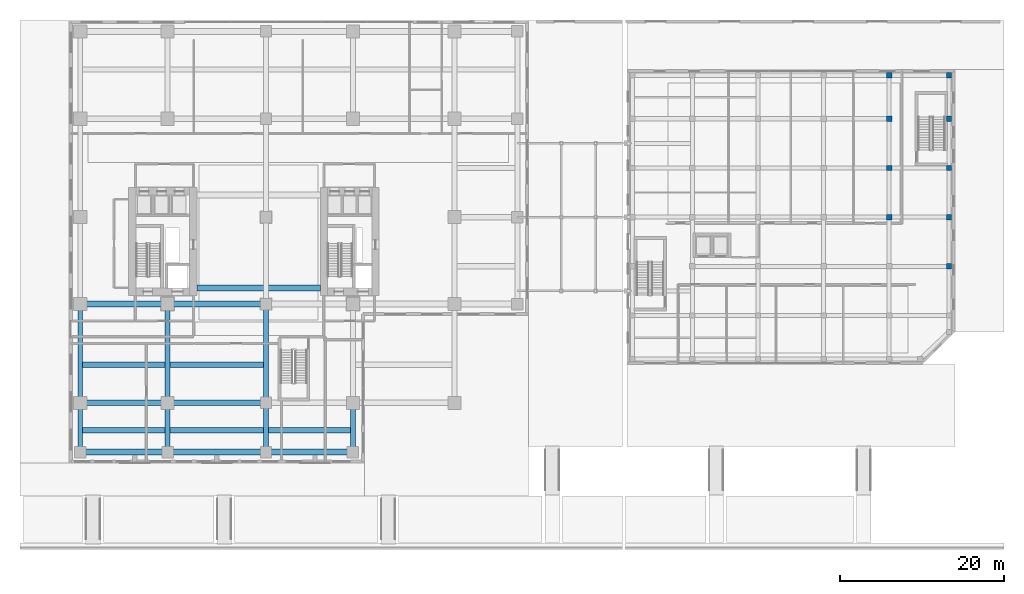
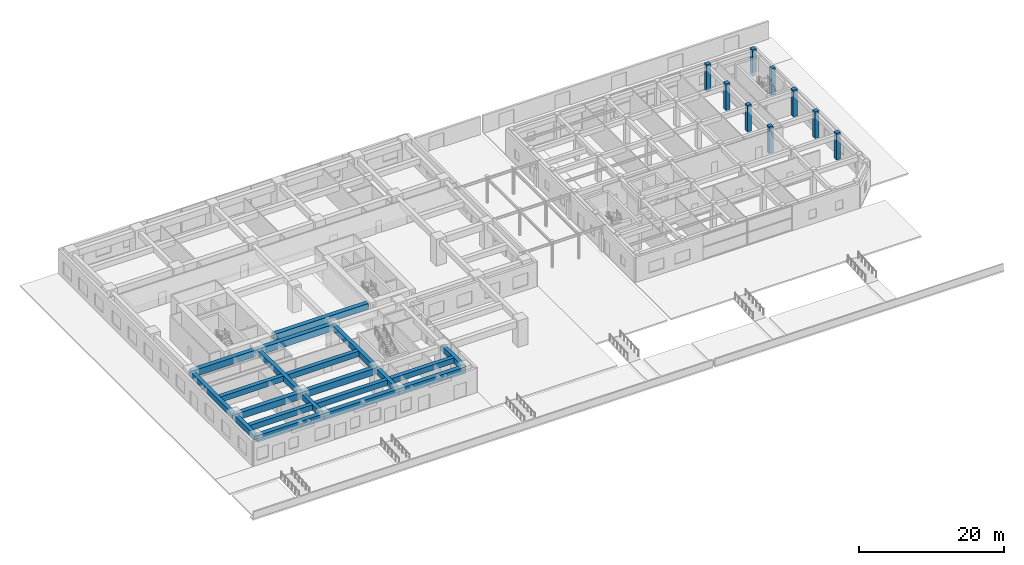
# One storey, part 7 of 39: 20 beams, 9 columns.
"""IFC4 building model written with IfcOpenShell, lengths in metres."""

from ifc_helpers import new_model, si_unit, direction, frame, origin, origin_2d, place, context, subcontext, project, spatial, rectangle, extrude, source, transform, mapped, material, material_profile, profile_set, type_object, element, save


model = new_model("IFC4")

# Units and contexts
model_context = context("Model", 3, precision=1e-05, world=origin(), true_north=direction((0.0, 1.0)))
body_context = subcontext(model_context, "Body", "Model", "MODEL_VIEW")
ifc_project = project(units=[si_unit("LENGTHUNIT", "METRE"), si_unit("AREAUNIT", "SQUARE_METRE"), si_unit("VOLUMEUNIT", "CUBIC_METRE"), si_unit("PLANEANGLEUNIT", "RADIAN"), si_unit("MASSUNIT", "GRAM", prefix="KILO")], contexts=[model_context])

# Site, building, storey
site_placement = place(None, origin())
site = spatial("IfcSite", under=ifc_project, at=site_placement, CompositionType="ELEMENT")
building_placement = place(site_placement, origin())
building = spatial("IfcBuilding", under=site, at=building_placement, Name="Khoralis Quay Care Tower", CompositionType="ELEMENT")
storey_placement = place(building_placement, origin())
storey = spatial("IfcBuildingStorey", under=building, at=storey_placement, Name="L00", CompositionType="ELEMENT", Elevation=0.0)

# Columns
ifc_material_1 = material(Name="Concrete C40/50", Category="concrete")
ifc_material_profile_1 = material_profile(ifc_material_1, rectangle(XDim=0.64990234375, YDim=0.64990234375, at=origin_2d()), Name="Concrete C40/50")
ifc_profile_set_1 = profile_set([ifc_material_profile_1], Name="Concrete C40/50")
column_type = type_object("IfcColumnType", Name="COL-SC650", PredefinedType="COLUMN", material=ifc_profile_set_1)
shared_shape_1 = source(origin(), body_context, "Body", "SweptSolid", [
    extrude(rectangle(XDim=0.64990234375, YDim=0.64990234375, at=origin_2d()), origin(), (0.0, 0.0, 1.0), 4.5),
])
for number, where, z_axis, x_axis, name in (
    (1, (100.0, 24.0, 0.0), (0.0, 0.0, 1.0), (1.0, 0.0, 0.0), "COL-SCH-L00-32"),
    (2, (100.0, 30.0, 0.0), (0.0, 0.0, 1.0), (1.0, 0.0, 0.0), "COL-SCH-L00-33"),
    (3, (100.0, 36.0, 0.0), (0.0, 0.0, 1.0), (1.0, 0.0, 0.0), "COL-SCH-L00-34"),
    (4, (100.0, 41.300048828125, 0.0), (0.0, 0.0, 1.0), (1.0, 0.0, 0.0), "COL-SCH-L00-35"),
    (5, (107.300048828125, 18.0, 0.0), (0.0, 0.0, 1.0), (1.0, 0.0, 0.0), "COL-SCH-L00-37"),
    (6, (107.300048828125, 24.0, 0.0), (0.0, 0.0, 1.0), (1.0, 0.0, 0.0), "COL-SCH-L00-38"),
    (7, (107.300048828125, 30.0, 0.0), (0.0, 0.0, 1.0), (1.0, 0.0, 0.0), "COL-SCH-L00-39"),
    (8, (107.300048828125, 36.0, 0.0), (0.0, 0.0, 1.0), (1.0, 0.0, 0.0), "COL-SCH-L00-40"),
    (9, (107.300048828125, 41.300048828125, 0.0), (0.0, 0.0, 1.0), (1.0, 0.0, 0.0), "COL-SCH-L00-41"),
):
    element("IfcColumn", number, at=place(storey_placement, frame(where, z_axis=z_axis, x_axis=x_axis)), inside=storey, type_object=column_type, Name=name, PredefinedType="COLUMN", context=body_context, shape_type="MappedRepresentation", body=[
        mapped(shared_shape_1, transform((0.0, 0.0, 0.0), scale=1.0)),
    ])

# Beams
ifc_material_2 = material(Name="Concrete C80/95", Category="concrete")
ifc_material_profile_2 = material_profile(ifc_material_2, rectangle(XDim=0.699951171875, YDim=1.0, at=origin_2d()), Name="Concrete C80/95")
ifc_profile_set_2 = profile_set([ifc_material_profile_2], Name="Concrete C80/95")
beam_type_1 = type_object("IfcBeamType", Name="CB-RC700X1000", PredefinedType="LINTEL", material=ifc_profile_set_2)
shared_shape_2 = source(origin(), body_context, "Body", "SweptSolid", [
    extrude(rectangle(XDim=0.699951171875, YDim=1.0, at=origin_2d()), origin(), (0.0, 0.0, 1.0), 15.079833984375),
])
beam_1_placement = place(storey_placement, frame((15.570068359375, 15.35009765625, 3.659912109375), z_axis=(1.0, 0.0, 0.0), x_axis=(0.0, 1.0, 0.0)))
element("IfcBeam", 10, at=beam_1_placement, inside=storey, type_object=beam_type_1, Name="L00 South Core Coupling Lintel", PredefinedType="LINTEL", context=body_context, shape_type="MappedRepresentation", body=[
    mapped(shared_shape_2, transform((0.0, 0.0, 0.0), scale=1.0)),
])
ifc_material_3 = material(Name="Concrete C65/80", Category="concrete")
ifc_material_profile_3 = material_profile(ifc_material_3, rectangle(XDim=0.699951171875, YDim=1.10009765625, at=origin_2d()), Name="Concrete C65/80")
ifc_profile_set_3 = profile_set([ifc_material_profile_3], Name="Concrete C65/80")
beam_type_2 = type_object("IfcBeamType", Name="BM-RC700X1100", PredefinedType="BEAM", material=ifc_profile_set_3)
shared_shape_3 = source(origin(), body_context, "Body", "SweptSolid", [
    extrude(rectangle(XDim=0.699951171875, YDim=1.10009765625, at=origin_2d()), origin(), (0.0, 0.0, 1.0), 10.64990234375),
])
for number, where, z_axis, x_axis, name in (
    (11, (1.35009765625, -4.64990234375, 3.610107421875), (1.0, 0.0, 0.0), (0.0, 1.0, 0.0), "BM-PODX-L00-01"),
    (12, (1.35009765625, 1.35009765625, 3.610107421875), (1.0, 0.0, 0.0), (0.0, 1.0, 0.0), "BM-PODX-L00-04"),
    (13, (1.35009765625, 13.39990234375, 3.610107421875), (1.0, 0.0, 0.0), (0.0, 1.0, 0.0), "BM-PODX-L00-08"),
):
    element("IfcBeam", number, at=place(storey_placement, frame(where, z_axis=z_axis, x_axis=x_axis)), inside=storey, type_object=beam_type_2, Name=name, PredefinedType="BEAM", context=body_context, shape_type="MappedRepresentation", body=[
        mapped(shared_shape_3, transform((0.0, 0.0, 0.0), scale=1.0)),
    ])
shared_shape_4 = source(origin(), body_context, "Body", "SweptSolid", [
    extrude(rectangle(XDim=0.699951171875, YDim=1.10009765625, at=origin_2d()), origin(), (0.0, 0.0, 1.0), 12.0),
])
for number, where, z_axis, x_axis, name in (
    (14, (12.0, -4.64990234375, 3.610107421875), (1.0, 0.0, 0.0), (0.0, 1.0, 0.0), "BM-PODX-L00-02"),
    (15, (12.0, 1.35009765625, 3.610107421875), (1.0, 0.0, 0.0), (0.0, 1.0, 0.0), "BM-PODX-L00-05"),
    (16, (12.0, 13.39990234375, 3.610107421875), (1.0, 0.0, 0.0), (0.0, 1.0, 0.0), "BM-PODX-L00-09"),
):
    element("IfcBeam", number, at=place(storey_placement, frame(where, z_axis=z_axis, x_axis=x_axis)), inside=storey, type_object=beam_type_2, Name=name, PredefinedType="BEAM", context=body_context, shape_type="MappedRepresentation", body=[
        mapped(shared_shape_4, transform((0.0, 0.0, 0.0), scale=1.0)),
    ])
shared_shape_5 = source(origin(), body_context, "Body", "SweptSolid", [
    extrude(rectangle(XDim=0.699951171875, YDim=1.10009765625, at=origin_2d()), origin(), (0.0, 0.0, 1.0), 10.60009765625),
])
beam_2_placement = place(storey_placement, frame((24.0, -4.64990234375, 3.610107421875), z_axis=(1.0, 0.0, 0.0), x_axis=(0.0, 1.0, 0.0)))
element("IfcBeam", 17, at=beam_2_placement, inside=storey, type_object=beam_type_2, Name="BM-PODX-L00-03", PredefinedType="BEAM", context=body_context, shape_type="MappedRepresentation", body=[
    mapped(shared_shape_5, transform((0.0, 0.0, 0.0), scale=1.0)),
])
ifc_material_4 = material(Name="Concrete C50/60", Category="concrete")
ifc_material_profile_4 = material_profile(ifc_material_4, rectangle(XDim=0.60009765625, YDim=0.949951171875, at=origin_2d()), Name="Concrete C50/60")
ifc_profile_set_4 = profile_set([ifc_material_profile_4], Name="Concrete C50/60")
beam_type_3 = type_object("IfcBeamType", Name="BM-RC600X950", PredefinedType="BEAM", material=ifc_profile_set_4)
shared_shape_6 = source(origin(), body_context, "Body", "SweptSolid", [
    extrude(rectangle(XDim=0.60009765625, YDim=0.949951171875, at=origin_2d()), origin(), (0.0, 0.0, 1.0), 6.0),
])
for number, where, z_axis, x_axis, name in (
    (18, (1.35009765625, -4.64990234375, 3.68505859375), (0.0, 1.0, 0.0), (-1.0, 0.0, 0.0), "BM-PODY-L00-24"),
    (19, (12.0, -4.64990234375, 3.68505859375), (0.0, 1.0, 0.0), (-1.0, 0.0, 0.0), "BM-PODY-L00-29"),
    (20, (24.0, -4.64990234375, 3.68505859375), (0.0, 1.0, 0.0), (-1.0, 0.0, 0.0), "BM-PODY-L00-32"),
    (21, (34.60009765625, -4.64990234375, 3.68505859375), (0.0, 1.0, 0.0), (-1.0, 0.0, 0.0), "BM-PODY-L00-37"),
):
    element("IfcBeam", number, at=place(storey_placement, frame(where, z_axis=z_axis, x_axis=x_axis)), inside=storey, type_object=beam_type_3, Name=name, PredefinedType="BEAM", context=body_context, shape_type="MappedRepresentation", body=[
        mapped(shared_shape_6, transform((0.0, 0.0, 0.0), scale=1.0)),
    ])
shared_shape_7 = source(origin(), body_context, "Body", "SweptSolid", [
    extrude(rectangle(XDim=0.60009765625, YDim=0.949951171875, at=origin_2d()), origin(), (0.0, 0.0, 1.0), 12.0498046875),
])
for number, where, z_axis, x_axis, name in (
    (22, (1.35009765625, 1.35009765625, 3.68505859375), (0.0, 1.0, 0.0), (-1.0, 0.0, 0.0), "BM-PODY-L00-25"),
    (23, (12.0, 1.35009765625, 3.68505859375), (0.0, 1.0, 0.0), (-1.0, 0.0, 0.0), "BM-PODY-L00-30"),
    (24, (24.0, 1.35009765625, 3.68505859375), (0.0, 1.0, 0.0), (-1.0, 0.0, 0.0), "BM-PODY-L00-33"),
):
    element("IfcBeam", number, at=place(storey_placement, frame(where, z_axis=z_axis, x_axis=x_axis)), inside=storey, type_object=beam_type_3, Name=name, PredefinedType="BEAM", context=body_context, shape_type="MappedRepresentation", body=[
        mapped(shared_shape_7, transform((0.0, 0.0, 0.0), scale=1.0)),
    ])
ifc_material_profile_5 = material_profile(ifc_material_4, rectangle(XDim=0.64990234375, YDim=0.89990234375, at=origin_2d()), Name="Concrete C50/60")
ifc_profile_set_5 = profile_set([ifc_material_profile_5], Name="Concrete C50/60")
beam_type_4 = type_object("IfcBeamType", Name="TB-RC650X900", PredefinedType="T_BEAM", material=ifc_profile_set_5)
shared_shape_8 = source(origin(), body_context, "Body", "SweptSolid", [
    extrude(rectangle(XDim=0.64990234375, YDim=0.89990234375, at=origin_2d()), origin(), (0.0, 0.0, 1.0), 10.073974609375),
])
for number, where, z_axis, x_axis, name in (
    (25, (1.637939453125, -2.0, 3.7099609375), (1.0, 0.0, 0.0), (0.0, 1.0, 0.0), "BM-PODJ-L00-47"),
    (26, (1.637939453125, 6.0, 3.7099609375), (1.0, 0.0, 0.0), (0.0, 1.0, 0.0), "BM-PODJ-L00-50"),
):
    element("IfcBeam", number, at=place(storey_placement, frame(where, z_axis=z_axis, x_axis=x_axis)), inside=storey, type_object=beam_type_4, Name=name, PredefinedType="T_BEAM", context=body_context, shape_type="MappedRepresentation", body=[
        mapped(shared_shape_8, transform((0.0, 0.0, 0.0), scale=1.0)),
    ])
shared_shape_9 = source(origin(), body_context, "Body", "SweptSolid", [
    extrude(rectangle(XDim=0.64990234375, YDim=0.89990234375, at=origin_2d()), origin(), (0.0, 0.0, 1.0), 11.423828125),
])
for number, where, z_axis, x_axis, name in (
    (27, (12.2880859375, -2.0, 3.7099609375), (1.0, 0.0, 0.0), (0.0, 1.0, 0.0), "BM-PODJ-L00-48"),
    (28, (12.2880859375, 6.0, 3.7099609375), (1.0, 0.0, 0.0), (0.0, 1.0, 0.0), "BM-PODJ-L00-51"),
):
    element("IfcBeam", number, at=place(storey_placement, frame(where, z_axis=z_axis, x_axis=x_axis)), inside=storey, type_object=beam_type_4, Name=name, PredefinedType="T_BEAM", context=body_context, shape_type="MappedRepresentation", body=[
        mapped(shared_shape_9, transform((0.0, 0.0, 0.0), scale=1.0)),
    ])
shared_shape_10 = source(origin(), body_context, "Body", "SweptSolid", [
    extrude(rectangle(XDim=0.64990234375, YDim=0.89990234375, at=origin_2d()), origin(), (0.0, 0.0, 1.0), 10.02392578125),
])
beam_3_placement = place(storey_placement, frame((24.2880859375, -2.0, 3.7099609375), z_axis=(1.0, 0.0, 0.0), x_axis=(0.0, 1.0, 0.0)))
element("IfcBeam", 29, at=beam_3_placement, inside=storey, type_object=beam_type_4, Name="BM-PODJ-L00-49", PredefinedType="T_BEAM", context=body_context, shape_type="MappedRepresentation", body=[
    mapped(shared_shape_10, transform((0.0, 0.0, 0.0), scale=1.0)),
])

save(model, "model.ifc")
